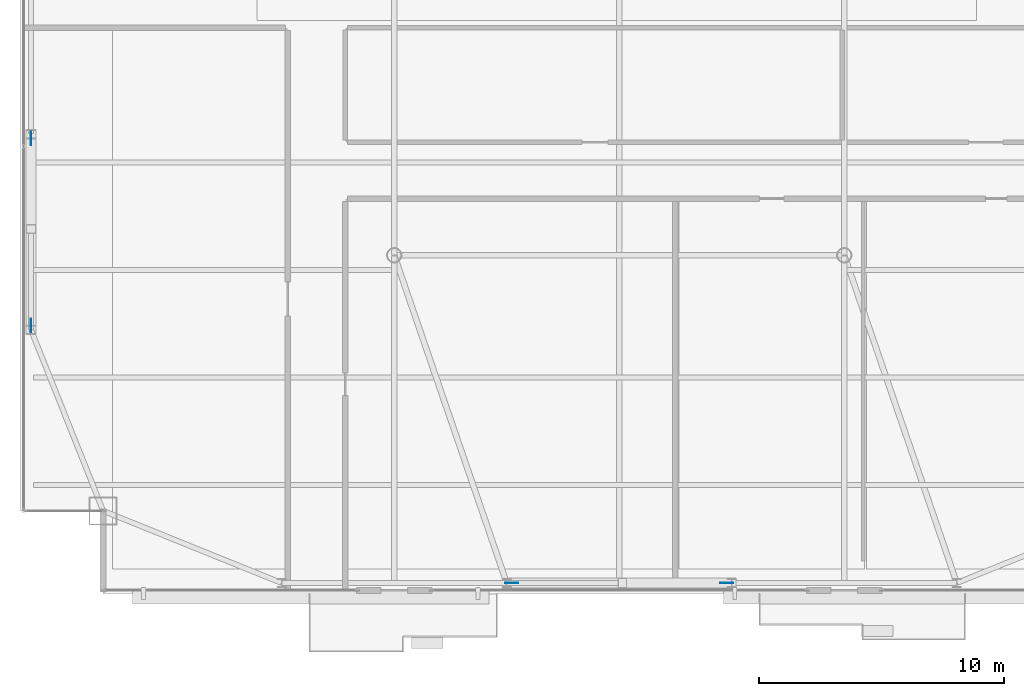
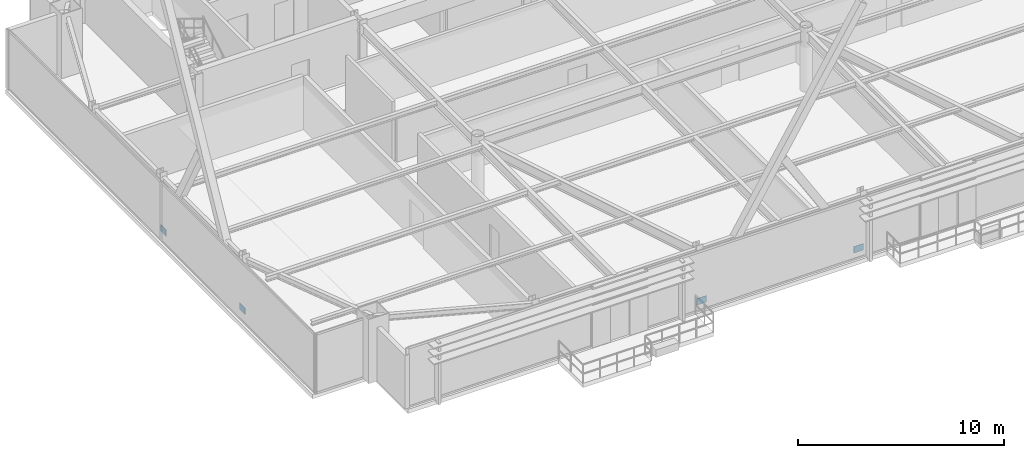
# One storey, part 25 of 31: 4 plates.
"""IFC4 building model written with IfcOpenShell, lengths in metres."""

from ifc_helpers import new_model, si_unit, direction, frame, origin, origin_2d, place, context, subcontext, project, spatial, rectangle, extrude, source, transform, mapped, material, layer, layer_set, type_object, type_shapes, element, save


model = new_model("IFC4")

# Units and contexts
model_context = context("Model", 3, precision=1e-05, world=origin(), true_north=direction((0.0, 1.0)))
body_context = subcontext(model_context, "Body", "Model", "MODEL_VIEW")
ifc_project = project(units=[si_unit("LENGTHUNIT", "METRE"), si_unit("AREAUNIT", "SQUARE_METRE"), si_unit("VOLUMEUNIT", "CUBIC_METRE"), si_unit("PLANEANGLEUNIT", "RADIAN"), si_unit("MASSUNIT", "GRAM", prefix="KILO")], contexts=[model_context])

# Site, building, storey
site_placement = place(None, origin())
site = spatial("IfcSite", under=ifc_project, at=site_placement, CompositionType="ELEMENT")
building_placement = place(site_placement, origin())
building = spatial("IfcBuilding", under=site, at=building_placement, Name="Varnel Quay Broadcast Tower", CompositionType="ELEMENT")
storey_placement = place(building_placement, frame((0.0, 0.0, 239.39990234375)))
storey = spatial("IfcBuildingStorey", under=building, at=storey_placement, Name="L59", CompositionType="ELEMENT", Elevation=239.39990234375)

# Plates
ifc_material = material(Name="Structural Steel CSA G40.21 350WT", Category="steel")
ifc_layer = layer(ifc_material, 0.031982421875, Name="Structural Steel CSA G40.21 350WT")
ifc_layer_set = layer_set([ifc_layer], Name="Structural Steel CSA G40.21 350WT")
plate_type = type_object("IfcPlateType", Name="Plate_EndCap", PredefinedType="USERDEFINED", material=ifc_layer_set)
shared_shape = source(origin(), body_context, "Body", "SweptSolid", [
    extrude(rectangle(XDim=0.5400390625, YDim=0.031982421875, at=origin_2d()), origin(), (0.0, 0.0, 1.0), 0.3798828125),
])
type_shapes(plate_type, [shared_shape])
for number, where, z_axis, x_axis, name in (
    (1, (29.599609375, 10.64990234375, 0.153564453125), (0.0, 0.0, 1.0), (1.0, 0.0, 0.0), "Zone 4 Mega-Brace S-C1T3 Diag A End Connection Plate P0"),
    (2, (38.400390625, 10.64990234375, 0.153564453125), (0.0, 0.0, 1.0), (1.0, 0.0, 0.0), "Zone 4 Mega-Brace S-C1T3 Diag B1 End Connection Plate P0"),
    (3, (9.949951171875, 21.1796875, 0.1650390625), (0.0, 0.0, 1.0), (0.0, 1.0, 0.0), "Zone 4 Mega-Brace W-FT3 Diag A End Connection Plate P0"),
    (4, (9.949951171875, 28.8203125, 0.1650390625), (0.0, 0.0, 1.0), (0.0, 1.0, 0.0), "Zone 4 Mega-Brace W-FT3 Diag B1 End Connection Plate P0"),
):
    element("IfcPlate", number, at=place(storey_placement, frame(where, z_axis=z_axis, x_axis=x_axis)), inside=storey, type_object=plate_type, Name=name, ObjectType="CAP_PLATE", PredefinedType="USERDEFINED", context=body_context, shape_type="MappedRepresentation", body=[
        mapped(shared_shape, transform((0.0, 0.0, 0.0), x_axis=(1.0, 0.0, 0.0), y_axis=(0.0, 1.0, 0.0), z_axis=(0.0, 0.0, 1.0), scale=1.0)),
    ])

save(model, "model.ifc")
